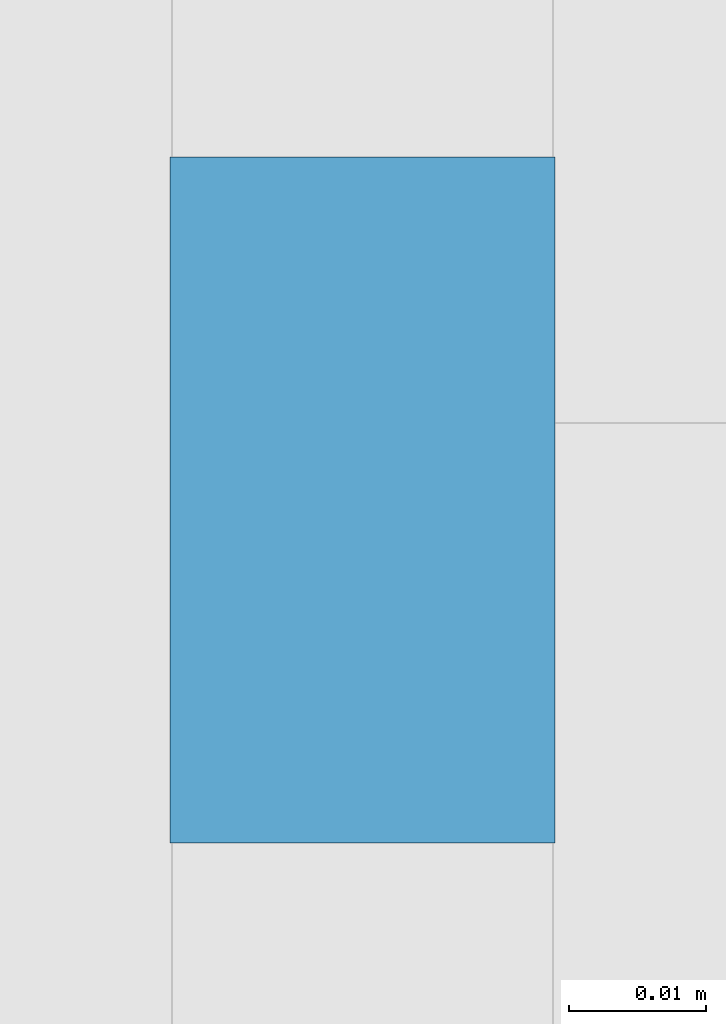
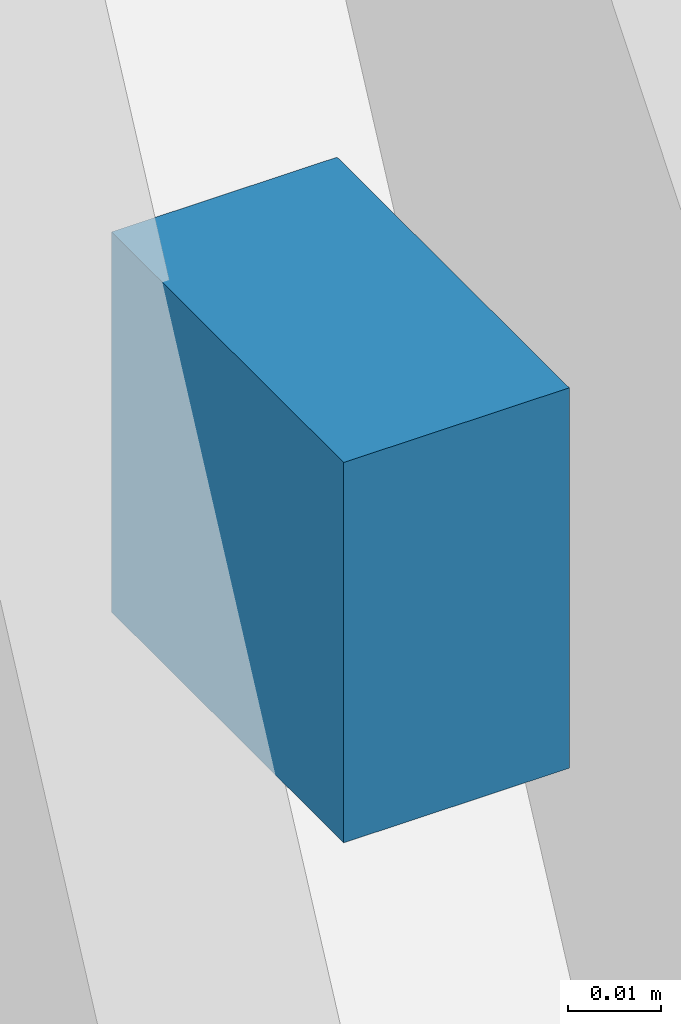
# One storey, part 13 of 18: 1 discrete accessory, 1 element without a shape of its own.
"""IFC4 building model written with IfcOpenShell, lengths in metres."""

from ifc_helpers import new_model, si_unit, direction, frame, origin, origin_2d, place, context, subcontext, project, spatial, rectangle, extrude, material, type_object, element, aggregate, save


model = new_model("IFC4")

# Units and contexts
model_context = context("Model", 3, precision=1e-05, world=origin(), true_north=direction((0.0, 1.0)))
body_context = subcontext(model_context, "Body", "Model", "MODEL_VIEW")
ifc_project = project(units=[si_unit("LENGTHUNIT", "METRE"), si_unit("AREAUNIT", "SQUARE_METRE"), si_unit("VOLUMEUNIT", "CUBIC_METRE"), si_unit("PLANEANGLEUNIT", "RADIAN"), si_unit("MASSUNIT", "GRAM", prefix="KILO")], contexts=[model_context])

# Site, building, storey
site_placement = place(None, origin())
site = spatial("IfcSite", under=ifc_project, at=site_placement, CompositionType="ELEMENT")
building_placement = place(site_placement, origin())
building = spatial("IfcBuilding", under=site, at=building_placement, Name="Tessera Arch", CompositionType="ELEMENT")
storey_placement = place(building_placement, frame((0.0, 0.0, 185.60009765625)))
storey = spatial("IfcBuildingStorey", under=building, at=storey_placement, Name="L44", CompositionType="ELEMENT", Elevation=185.60009765625)

# Curtain wall, discrete accessory
ifc_material = material(Name="CW3 curtain wall")
curtain_wall_type = type_object("IfcCurtainWallType", Name="CW3 curtain wall", PredefinedType="NOTDEFINED", material=ifc_material)
curtain_wall_placement = place(storey_placement, origin())
curtain_wall = element("IfcCurtainWall", 1, at=curtain_wall_placement, inside=storey, type_object=curtain_wall_type, Name="CW3 curtain wall W0.27/1 L44", PredefinedType="NOTDEFINED")
discrete_accessory_placement = place(storey_placement, frame((-0.0439453125, 39.929931640625, 1.1455078125), z_axis=(0.0, 0.0, 1.0), x_axis=(0.0, -1.0, 0.0)))
discrete_accessory = element("IfcDiscreteAccessory", 2, at=discrete_accessory_placement, Name="Glazing bracket", PredefinedType="BRACKET", context=body_context, shape_type="SweptSolid", body=[
    extrude(rectangle(XDim=0.050048828125, YDim=0.028076171875, at=origin_2d()), origin(), (0.0, 0.0, 1.0), 0.050048828125),
])
aggregate(curtain_wall, [discrete_accessory])

save(model, "model.ifc")
